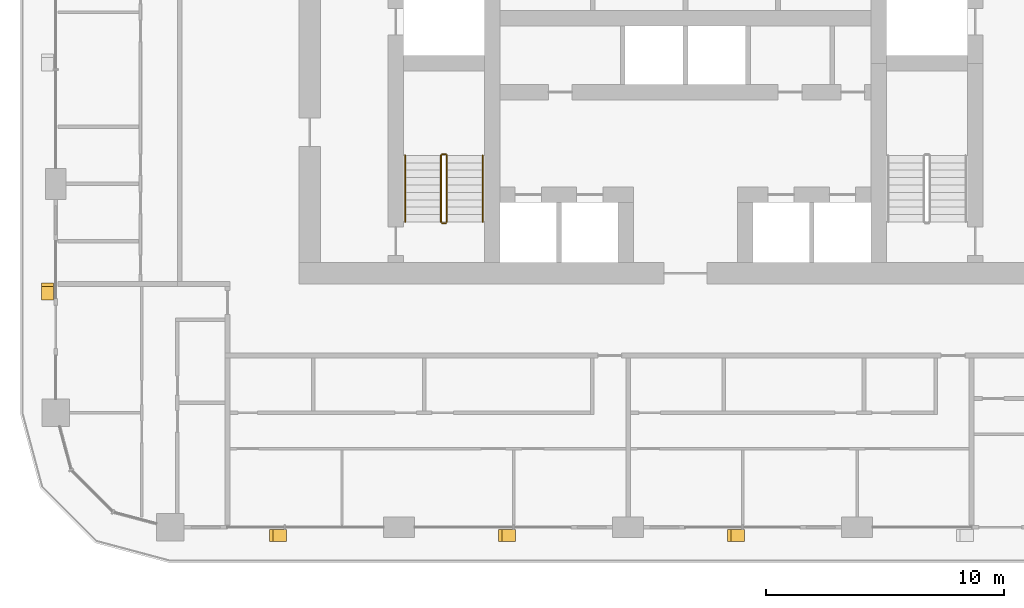
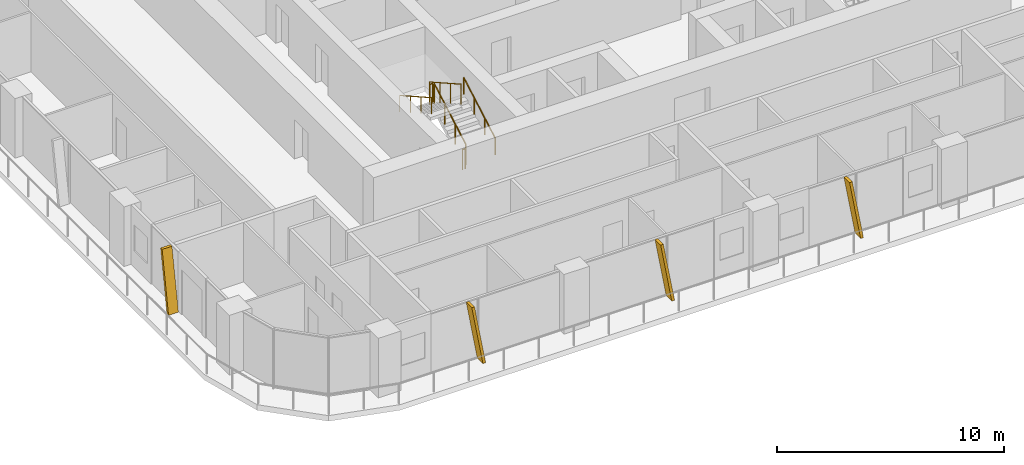
# One storey, part 16 of 21: 6 railings, 4 shading devices.
"""IFC4 building model written with IfcOpenShell, lengths in metres."""

from ifc_helpers import new_model, si_unit, direction, frame, origin, origin_2d, place, context, subcontext, project, spatial, polyline, circle, outline, extrude, material, type_object, element, save


model = new_model("IFC4")

# Units and contexts
model_context = context("Model", 3, precision=1e-05, world=origin(), true_north=direction((0.0, 1.0)))
body_context = subcontext(model_context, "Body", "Model", "MODEL_VIEW")
ifc_project = project(units=[si_unit("LENGTHUNIT", "METRE"), si_unit("AREAUNIT", "SQUARE_METRE"), si_unit("VOLUMEUNIT", "CUBIC_METRE"), si_unit("PLANEANGLEUNIT", "RADIAN"), si_unit("MASSUNIT", "GRAM", prefix="KILO")], contexts=[model_context])

# Site, building, storey
site_placement = place(None, origin())
site = spatial("IfcSite", under=ifc_project, at=site_placement, CompositionType="ELEMENT")
building_placement = place(site_placement, origin())
building = spatial("IfcBuilding", under=site, at=building_placement, Name="Madar Terraces", CompositionType="ELEMENT")
storey_placement = place(building_placement, frame((0.0, 0.0, 92.699951171875)))
storey = spatial("IfcBuildingStorey", under=building, at=storey_placement, Name="L23", CompositionType="ELEMENT", Elevation=92.699951171875)

# Shading devices
ifc_material_1 = material(Name="Aluminium, black anodised", Category="aluminium")
shading_device_type = type_object("IfcShadingDeviceType", Name="Facade fin blade 140 x 500", PredefinedType="USERDEFINED", material=ifc_material_1)
shading_device_1_placement = place(storey_placement, frame((14.330078125, 4.449951171875, 0.0), z_axis=(0.0, 0.0, 1.0), x_axis=(1.0, 0.0, 0.0)))
element("IfcShadingDevice", 1, at=shading_device_1_placement, inside=storey, type_object=shading_device_type, Name="FIN L23 S1", ObjectType="FIN", PredefinedType="USERDEFINED", context=body_context, shape_type="SweptSolid", body=[
    extrude(outline(polyline([(0.0, 0.0), (0.139892578125, 0.0), (-0.42431640625, 3.199951171875), (-0.564208984375, 3.199951171875), (0.0, 0.0)])), frame((0.0, 0.25, 0.0), z_axis=(0.0, -1.0, 0.0), x_axis=(1.0, 0.0, 0.0)), (0.0, 0.0, 1.0), 0.5),
])
shading_device_2_placement = place(storey_placement, frame((23.929931640625, 4.449951171875, 0.0), z_axis=(0.0, 0.0, 1.0), x_axis=(1.0, 0.0, 0.0)))
element("IfcShadingDevice", 2, at=shading_device_2_placement, inside=storey, type_object=shading_device_type, Name="FIN L23 S2", ObjectType="FIN", PredefinedType="USERDEFINED", context=body_context, shape_type="SweptSolid", body=[
    extrude(outline(polyline([(0.0, 0.0), (0.14013671875, 0.0), (-0.42431640625, 3.199951171875), (-0.564208984375, 3.199951171875), (0.0, 0.0)])), frame((0.0, 0.25, 0.0), z_axis=(0.0, -1.0, 0.0), x_axis=(1.0, 0.0, 0.0)), (0.0, 0.0, 1.0), 0.5),
])
for number, where, z_axis, x_axis, name in (
    (3, (33.530029296875, 4.449951171875, 0.0), (0.0, 0.0, 1.0), (1.0, 0.0, 0.0), "FIN L23 S3"),
    (4, (4.449951171875, 14.469970703125, 0.0), (0.0, 0.0, 1.0), (0.0, -1.0, 0.0), "FIN L23 W4"),
):
    element("IfcShadingDevice", number, at=place(storey_placement, frame(where, z_axis=z_axis, x_axis=x_axis)), inside=storey, type_object=shading_device_type, Name=name, ObjectType="FIN", PredefinedType="USERDEFINED", context=body_context, shape_type="SweptSolid", body=[
        extrude(outline(polyline([(0.0, 0.0), (0.139892578125, 0.0), (-0.42431640625, 3.199951171875), (-0.564208984375, 3.199951171875), (0.0, 0.0)])), frame((0.0, 0.25, 0.0), z_axis=(0.0, -1.0, 0.0), x_axis=(1.0, 0.0, 0.0)), (0.0, 0.0, 1.0), 0.5),
    ])

# Railings
ifc_material_2 = material(Name="Stainless steel railing", Category="steel")
railing_type_1 = type_object("IfcRailingType", Name="Stair guard 1100", PredefinedType="GUARDRAIL", material=ifc_material_2)
railing_1_placement = place(storey_placement, frame((21.199951171875, 17.60009765625, 0.175048828125)))
element("IfcRailing", 5, at=railing_1_placement, inside=storey, type_object=railing_type_1, Name="L23 ST1 stair guard 1", PredefinedType="GUARDRAIL", context=body_context, shape_type="SweptSolid", body=[
    extrude(circle(Radius=0.02392578125, at=origin_2d()), frame((0.0, 0.0, 1.076171875), z_axis=(0.0, 0.870815363784, 0.491610213684), x_axis=(-1.0, 0.0, 0.0)), (0.0, 0.0, 1.0), 3.20361328125),
    extrude(circle(Radius=0.02099609375, at=origin_2d()), origin(), (0.0, 0.0, 1.0), 1.052001953125),
    extrude(circle(Radius=0.02099609375, at=origin_2d()), frame((0.0, 0.929931640625, 0.52490234375)), (0.0, 0.0, 1.0), 1.052001953125),
    extrude(circle(Radius=0.02099609375, at=origin_2d()), frame((0.0, 1.85986328125, 1.050048828125)), (0.0, 0.0, 1.0), 1.052001953125),
    extrude(circle(Radius=0.02099609375, at=origin_2d()), frame((0.0, 2.789794921875, 1.574951171875)), (0.0, 0.0, 1.0), 1.052001953125),
])
railing_2_placement = place(storey_placement, frame((21.14990234375, 20.43994140625, 1.75)))
element("IfcRailing", 6, at=railing_2_placement, inside=storey, type_object=railing_type_1, Name="L23 ST1 stair guard 2", PredefinedType="GUARDRAIL", context=body_context, shape_type="SweptSolid", body=[
    extrude(circle(Radius=0.02392578125, at=origin_2d()), frame((0.0, 0.0, 1.076171875), z_axis=(-1.0, 0.0, 0.0), x_axis=(0.0, -1.0, 0.0)), (0.0, 0.0, 1.0), 0.14990234375),
    extrude(circle(Radius=0.02099609375, at=origin_2d()), origin(), (0.0, 0.0, 1.0), 1.052001953125),
    extrude(circle(Radius=0.02099609375, at=origin_2d()), frame((-0.14990234375, 0.0, 0.0)), (0.0, 0.0, 1.0), 1.052001953125),
])
railing_3_placement = place(storey_placement, frame((20.949951171875, 20.389892578125, 1.925048828125)))
element("IfcRailing", 7, at=railing_3_placement, inside=storey, type_object=railing_type_1, Name="L23 ST1 stair guard 3", PredefinedType="GUARDRAIL", context=body_context, shape_type="SweptSolid", body=[
    extrude(circle(Radius=0.02392578125, at=origin_2d()), frame((0.0, 0.0, 1.076171875), z_axis=(0.0, -0.870815363784, 0.491610213684), x_axis=(1.0, 0.0, 0.0)), (0.0, 0.0, 1.0), 3.20361328125),
    extrude(circle(Radius=0.02099609375, at=origin_2d()), origin(), (0.0, 0.0, 1.0), 1.052001953125),
    extrude(circle(Radius=0.02099609375, at=origin_2d()), frame((0.0, -0.929931640625, 0.52490234375)), (0.0, 0.0, 1.0), 1.052001953125),
    extrude(circle(Radius=0.02099609375, at=origin_2d()), frame((0.0, -1.85986328125, 1.050048828125)), (0.0, 0.0, 1.0), 1.052001953125),
    extrude(circle(Radius=0.02099609375, at=origin_2d()), frame((0.0, -2.789794921875, 1.574951171875)), (0.0, 0.0, 1.0), 1.052001953125),
])
railing_4_placement = place(storey_placement, frame((21.14990234375, 17.550048828125, 0.0)))
element("IfcRailing", 8, at=railing_4_placement, inside=storey, type_object=railing_type_1, Name="L23 ST1 stair guard 4", PredefinedType="GUARDRAIL", context=body_context, shape_type="SweptSolid", body=[
    extrude(circle(Radius=0.02392578125, at=origin_2d()), frame((0.0, 0.0, 1.076171875), z_axis=(-1.0, 0.0, 0.0), x_axis=(0.0, -1.0, 0.0)), (0.0, 0.0, 1.0), 0.14990234375),
    extrude(circle(Radius=0.02099609375, at=origin_2d()), origin(), (0.0, 0.0, 1.0), 1.052001953125),
    extrude(circle(Radius=0.02099609375, at=origin_2d()), frame((-0.14990234375, 0.0, 0.0)), (0.0, 0.0, 1.0), 1.052001953125),
])
ifc_material_3 = material(Name="Stainless steel railing", Category="steel")
railing_type_2 = type_object("IfcRailingType", Name="Stair handrail 900", PredefinedType="HANDRAIL", material=ifc_material_3)
railing_5_placement = place(storey_placement, frame((22.699951171875, 17.60009765625, 0.175048828125)))
element("IfcRailing", 9, at=railing_5_placement, inside=storey, type_object=railing_type_2, Name="L23 ST1 stair handrail 1", PredefinedType="HANDRAIL", context=body_context, shape_type="SweptSolid", body=[
    extrude(circle(Radius=0.02392578125, at=origin_2d()), frame((0.0, 0.0, 0.8759765625), z_axis=(0.0, 0.870815363784, 0.491610213684), x_axis=(-1.0, 0.0, 0.0)), (0.0, 0.0, 1.0), 3.20361328125),
    extrude(circle(Radius=0.02099609375, at=origin_2d()), origin(), (0.0, 0.0, 1.0), 0.851806640625),
    extrude(circle(Radius=0.02099609375, at=origin_2d()), frame((0.0, 0.929931640625, 0.52490234375)), (0.0, 0.0, 1.0), 0.851806640625),
    extrude(circle(Radius=0.02099609375, at=origin_2d()), frame((0.0, 1.85986328125, 1.050048828125)), (0.0, 0.0, 1.0), 0.851806640625),
    extrude(circle(Radius=0.02099609375, at=origin_2d()), frame((0.0, 2.789794921875, 1.574951171875)), (0.0, 0.0, 1.0), 0.851806640625),
])
railing_6_placement = place(storey_placement, frame((19.449951171875, 20.389892578125, 1.925048828125)))
element("IfcRailing", 10, at=railing_6_placement, inside=storey, type_object=railing_type_2, Name="L23 ST1 stair handrail 2", PredefinedType="HANDRAIL", context=body_context, shape_type="SweptSolid", body=[
    extrude(circle(Radius=0.02392578125, at=origin_2d()), frame((0.0, 0.0, 0.8759765625), z_axis=(0.0, -0.870815363784, 0.491610213684), x_axis=(1.0, 0.0, 0.0)), (0.0, 0.0, 1.0), 3.20361328125),
    extrude(circle(Radius=0.02099609375, at=origin_2d()), origin(), (0.0, 0.0, 1.0), 0.851806640625),
    extrude(circle(Radius=0.02099609375, at=origin_2d()), frame((0.0, -0.929931640625, 0.52490234375)), (0.0, 0.0, 1.0), 0.851806640625),
    extrude(circle(Radius=0.02099609375, at=origin_2d()), frame((0.0, -1.85986328125, 1.050048828125)), (0.0, 0.0, 1.0), 0.851806640625),
    extrude(circle(Radius=0.02099609375, at=origin_2d()), frame((0.0, -2.789794921875, 1.574951171875)), (0.0, 0.0, 1.0), 0.851806640625),
])

save(model, "model.ifc")
